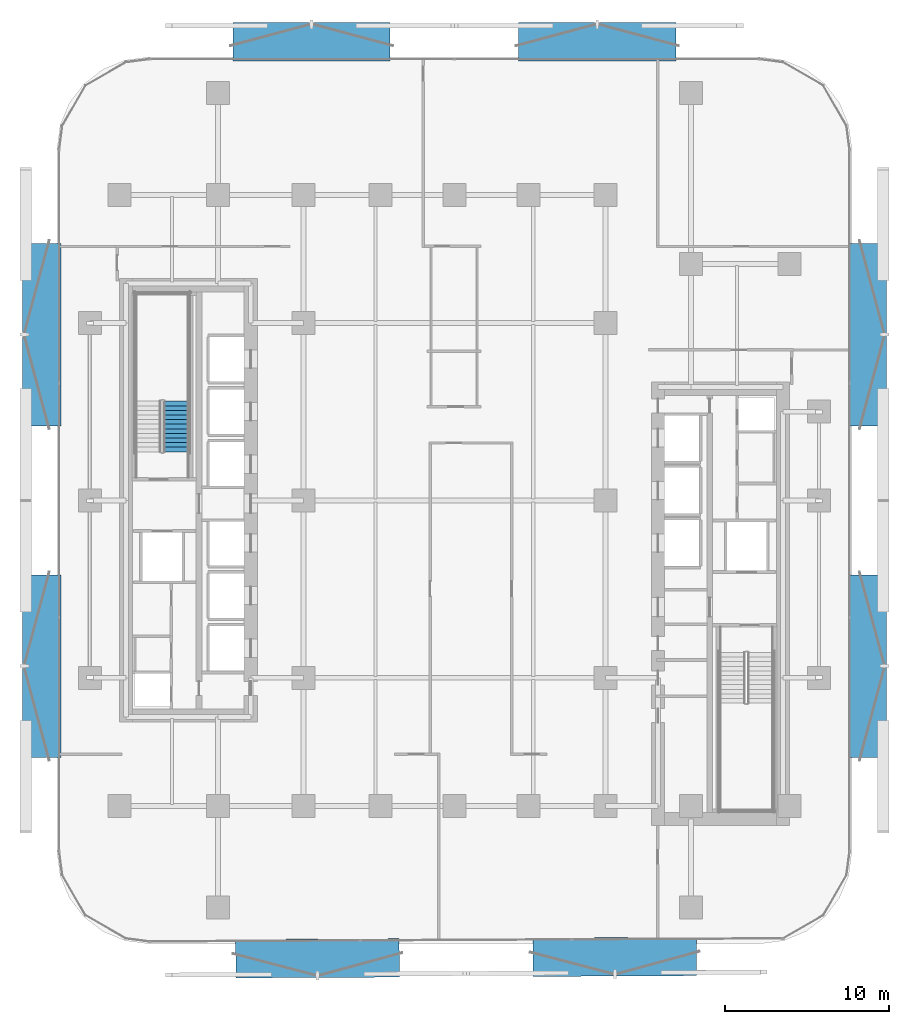
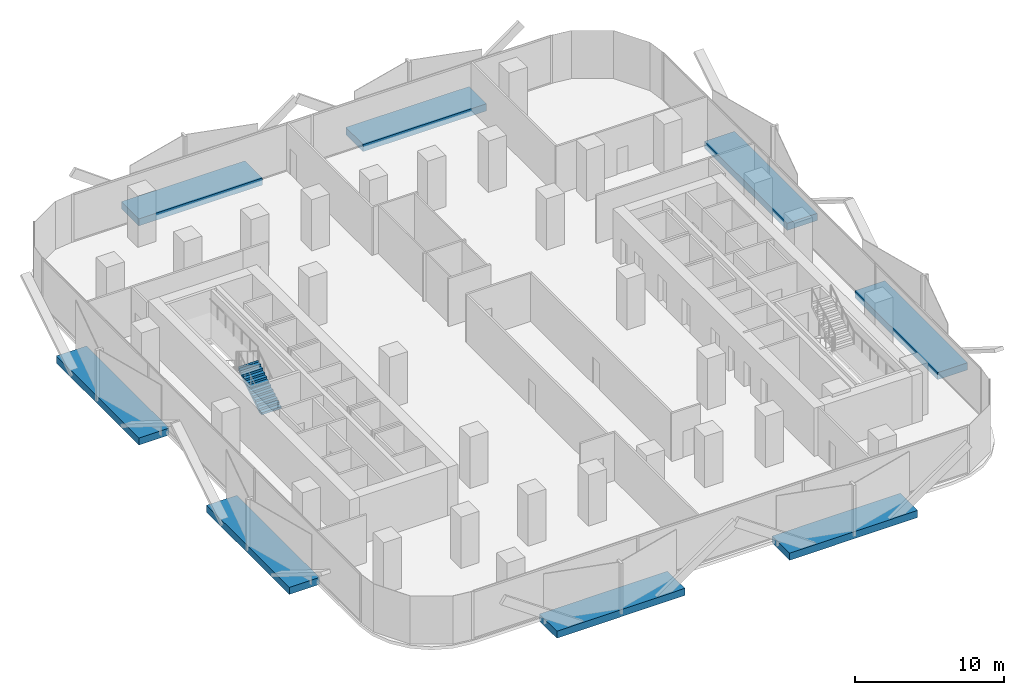
# One storey, part 6 of 15: 8 discrete accessories, 1 stair flight, 1 element without a shape of its own.
"""IFC4 building model written with IfcOpenShell, lengths in metres."""

from ifc_helpers import new_model, si_unit, direction, frame, origin, origin_2d, place, context, subcontext, project, spatial, polyline, rectangle, outline, extrude, material, layer, layer_set, type_object, element, aggregate, save


model = new_model("IFC4")

# Units and contexts
model_context = context("Model", 3, precision=1e-05, world=origin(), true_north=direction((0.0, 1.0)))
body_context = subcontext(model_context, "Body", "Model", "MODEL_VIEW")
ifc_project = project(units=[si_unit("LENGTHUNIT", "METRE"), si_unit("AREAUNIT", "SQUARE_METRE"), si_unit("VOLUMEUNIT", "CUBIC_METRE"), si_unit("PLANEANGLEUNIT", "RADIAN"), si_unit("MASSUNIT", "GRAM", prefix="KILO")], contexts=[model_context])

# Site, building, storey
site_placement = place(None, origin())
site = spatial("IfcSite", under=ifc_project, at=site_placement, CompositionType="ELEMENT")
building_placement = place(site_placement, origin())
building = spatial("IfcBuilding", under=site, at=building_placement, Name="Khairoan Windgate Tower", CompositionType="ELEMENT")
storey_placement = place(building_placement, frame((0.0, 0.0, 59.60009765625)))
storey = spatial("IfcBuildingStorey", under=building, at=storey_placement, Name="L14", CompositionType="ELEMENT", Elevation=59.60009765625)

# Stair, stair flight
ifc_material_1 = material(Name="Concrete C40/50", Category="concrete")
stair_type = type_object("IfcStairType", Name="Tower Core Dog-Leg Stair ST-T1 1560mm", PredefinedType="HALF_TURN_STAIR", material=ifc_material_1)
stair_placement = place(storey_placement, origin())
stair = element("IfcStair", 1, at=stair_placement, inside=storey, type_object=stair_type, Name="L14 Stair ST2", PredefinedType="HALF_TURN_STAIR")
ifc_material_2 = material(Name="Concrete C40/50", Category="concrete")
ifc_layer = layer(ifc_material_2, 0.14990234375, Name="Concrete C40/50")
ifc_layer_set = layer_set([ifc_layer], Name="Concrete C40/50")
stair_flight_type = type_object("IfcStairFlightType", Name="Tower Core Stair Flight STF-1560", PredefinedType="STRAIGHT", material=ifc_layer_set)
stair_flight_placement = place(storey_placement, frame((-16.929931640625, 2.9599609375, 0.0), z_axis=(0.0, 0.0, 1.0), x_axis=(0.0, 1.0, 0.0)))
stair_flight = element("IfcStairFlight", 2, at=stair_flight_placement, type_object=stair_flight_type, Name="ST2 flight 1", NumberOfRisers=12, NumberOfTreads=11, PredefinedType="STRAIGHT", RiserHeight=0.175, TreadLength=0.28, context=body_context, shape_type="SweptSolid", body=[
    extrude(outline(polyline([(-0.00390625, 0.0), (-0.00390625, 0.175048828125), (0.0, 0.175048828125), (0.280029296875, 0.175048828125), (0.280029296875, 0.35009765625), (0.56005859375, 0.35009765625), (0.56005859375, 0.52490234375), (0.840087890625, 0.52490234375), (0.840087890625, 0.699951171875), (1.1201171875, 0.699951171875), (1.1201171875, 0.875), (1.39990234375, 0.875), (1.39990234375, 1.050048828125), (1.679931640625, 1.050048828125), (1.679931640625, 1.22509765625), (1.9599609375, 1.22509765625), (1.9599609375, 1.39990234375), (2.239990234375, 1.39990234375), (2.239990234375, 1.574951171875), (2.52001953125, 1.574951171875), (2.52001953125, 1.75), (2.800048828125, 1.75), (2.800048828125, 1.925048828125), (3.080078125, 1.925048828125), (3.080078125, 2.10009765625), (3.083984375, 2.10009765625), (3.083984375, 1.748291015625), (0.28271484375, 0.0), (-0.00390625, 0.0)])), frame((0.0, 0.780029296875, 0.0), z_axis=(0.0, -1.0, 0.0), x_axis=(1.0, 0.0, 0.0)), (0.0, 0.0, 1.0), 1.56005859375),
])
aggregate(stair, [stair_flight])

# Discrete accessories
ifc_material_3 = material(Name="Steel S355", Category="steel")
discrete_accessory_type = type_object("IfcDiscreteAccessoryType", Name="Solar Screen Outrigger Slab Bracket SSB-1", PredefinedType="BRACKET", material=ifc_material_3)
for number, where, z_axis, x_axis, name in (
    (3, (9.76708984375, -27.79248046875, -0.420166015625), (0.0, 0.0, 1.0), (-0.999988059021, -0.004886902454, 0.0), "L14 Solar Screen Outrigger Bracket 65"),
    (4, (-8.334716796875, -27.88037109375, -0.420166015625), (0.0, 0.0, 1.0), (-0.999988059021, -0.004886902454, 0.0), "L14 Solar Screen Outrigger Bracket 66"),
):
    element("IfcDiscreteAccessory", number, at=place(storey_placement, frame(where, z_axis=z_axis, x_axis=x_axis)), inside=storey, type_object=discrete_accessory_type, Name=name, PredefinedType="BRACKET", context=body_context, shape_type="SweptSolid", body=[
        extrude(rectangle(XDim=9.9560546875, YDim=2.340087890625, at=origin_2d()), origin(), (0.0, 0.0, 1.0), 0.580078125),
    ])
for number, where, z_axis, x_axis, name in (
    (5, (-25.1298828125, -10.095458984375, -0.420166015625), (0.0, 0.0, 1.0), (0.0, 1.0, 0.0), "L14 Solar Screen Outrigger Bracket 67"),
    (6, (-25.1298828125, 10.095458984375, -0.420166015625), (0.0, 0.0, 1.0), (0.0, 1.0, 0.0), "L14 Solar Screen Outrigger Bracket 68"),
):
    element("IfcDiscreteAccessory", number, at=place(storey_placement, frame(where, z_axis=z_axis, x_axis=x_axis)), inside=storey, type_object=discrete_accessory_type, Name=name, PredefinedType="BRACKET", context=body_context, shape_type="SweptSolid", body=[
        extrude(rectangle(XDim=11.10498046875, YDim=2.340087890625, at=origin_2d()), origin(), (0.0, 0.0, 1.0), 0.580078125),
    ])
for number, where, z_axis, x_axis, name in (
    (7, (-8.6953125, 27.929931640625, -0.420166015625), (0.0, 0.0, 1.0), (1.0, 0.0, 0.0), "L14 Solar Screen Outrigger Bracket 69"),
    (8, (8.6953125, 27.929931640625, -0.420166015625), (0.0, 0.0, 1.0), (1.0, 0.0, 0.0), "L14 Solar Screen Outrigger Bracket 70"),
):
    element("IfcDiscreteAccessory", number, at=place(storey_placement, frame(where, z_axis=z_axis, x_axis=x_axis)), inside=storey, type_object=discrete_accessory_type, Name=name, PredefinedType="BRACKET", context=body_context, shape_type="SweptSolid", body=[
        extrude(rectangle(XDim=9.56494140625, YDim=2.340087890625, at=origin_2d()), origin(), (0.0, 0.0, 1.0), 0.580078125),
    ])
for number, where, z_axis, x_axis, name in (
    (9, (25.1298828125, 10.095458984375, -0.420166015625), (0.0, 0.0, 1.0), (0.0, -1.0, 0.0), "L14 Solar Screen Outrigger Bracket 71"),
    (10, (25.1298828125, -10.095458984375, -0.420166015625), (0.0, 0.0, 1.0), (0.0, -1.0, 0.0), "L14 Solar Screen Outrigger Bracket 72"),
):
    element("IfcDiscreteAccessory", number, at=place(storey_placement, frame(where, z_axis=z_axis, x_axis=x_axis)), inside=storey, type_object=discrete_accessory_type, Name=name, PredefinedType="BRACKET", context=body_context, shape_type="SweptSolid", body=[
        extrude(rectangle(XDim=11.10498046875, YDim=2.340087890625, at=origin_2d()), origin(), (0.0, 0.0, 1.0), 0.580078125),
    ])

save(model, "model.ifc")
